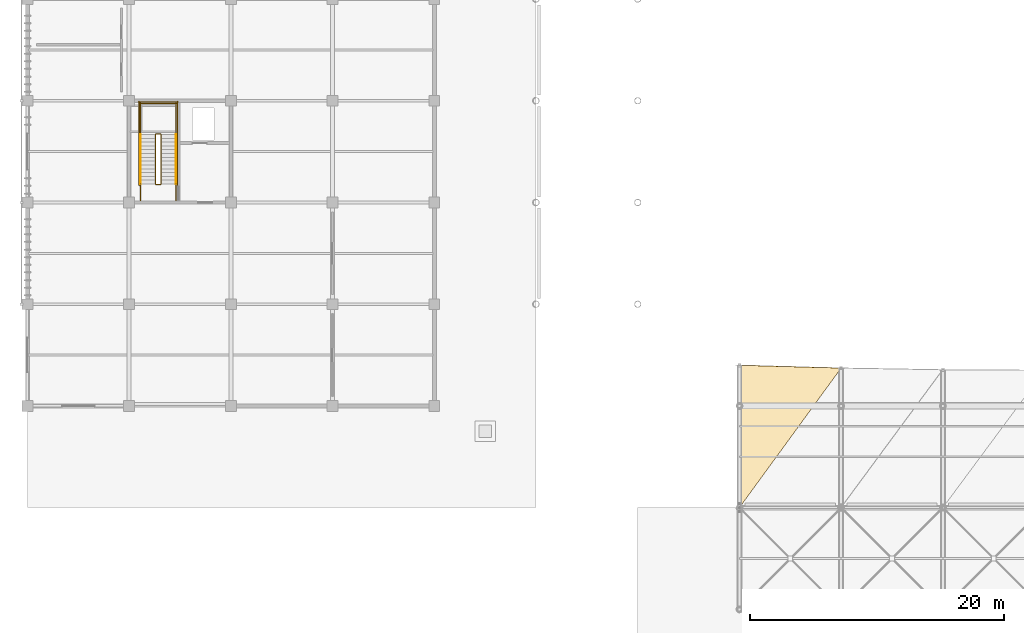
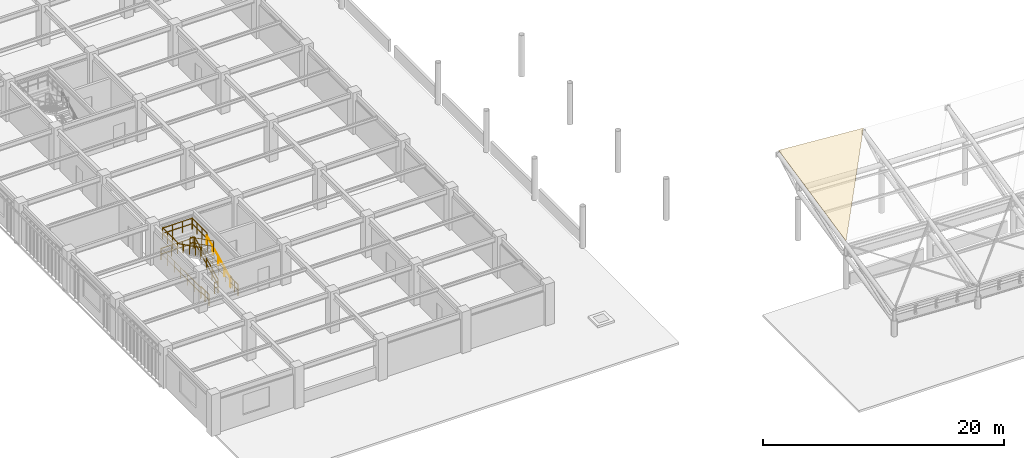
# One storey, part 72 of 78: 14 railings, 1 covering, 1 element without a shape of its own.
"""IFC4 building model written with IfcOpenShell, lengths in metres."""

from ifc_helpers import new_model, si_unit, direction, frame, origin, origin_2d, place, context, subcontext, project, spatial, polyline, circle, outline, extrude, material, layer, layer_set, type_object, element, aggregate, save


model = new_model("IFC4")

# Units and contexts
model_context = context("Model", 3, precision=1e-05, world=origin(), true_north=direction((0.0, 1.0)))
body_context = subcontext(model_context, "Body", "Model", "MODEL_VIEW")
ifc_project = project(units=[si_unit("LENGTHUNIT", "METRE"), si_unit("AREAUNIT", "SQUARE_METRE"), si_unit("VOLUMEUNIT", "CUBIC_METRE"), si_unit("PLANEANGLEUNIT", "RADIAN"), si_unit("MASSUNIT", "GRAM", prefix="KILO")], contexts=[model_context])

# Site, building, storey
site_placement = place(None, origin())
site = spatial("IfcSite", under=ifc_project, at=site_placement, CompositionType="ELEMENT")
building_placement = place(site_placement, origin())
building = spatial("IfcBuilding", under=site, at=building_placement, Name="Haebicheon Civic Stadium", CompositionType="ELEMENT")
storey_placement = place(building_placement, frame((0.0, 0.0, 18.60009765625)))
storey = spatial("IfcBuildingStorey", under=building, at=storey_placement, Name="L05", CompositionType="ELEMENT", Elevation=18.60009765625)

# Roof, covering
ifc_material_1 = material(Name="White painted steel SM490", Category="steel")
roof_type = type_object("IfcRoofType", Name="ROOF-WING-CANOPY", PredefinedType="FREEFORM", material=ifc_material_1)
roof_placement = place(storey_placement, origin())
roof = element("IfcRoof", 1, at=roof_placement, inside=storey, type_object=roof_type, material=ifc_material_1, Name="South Goal-Curve Wing Canopy", PredefinedType="FREEFORM")
ifc_material_2 = material(Name="White fluoropolymer coated steel SM490", Category="steel")
ifc_layer = layer(ifc_material_2, 0.02001953125, Name="White fluoropolymer coated steel SM490")
ifc_layer_set = layer_set([ifc_layer], Name="White fluoropolymer coated steel SM490")
covering_type = type_object("IfcCoveringType", Name="COV-CAN-MEM", PredefinedType="ROOFING", material=ifc_layer_set)
covering_placement = place(storey_placement, frame((80.0, 32.0, 4.679931640625), z_axis=(0.044844821103, -0.209982700605, 0.976676101616), x_axis=(0.0, 0.977659661495, 0.210194163299)))
covering = element("IfcCovering", 2, at=covering_placement, type_object=covering_type, material=ifc_layer_set, Name="CAN-SOUTH canopy coated steel membrane 1", PredefinedType="ROOFING", context=body_context, shape_type="SweptSolid", body=[
    extrude(outline(polyline([(0.0, 0.0), (11.455879395437805, -1.3877787807814457e-17), (11.151674632276901, -8.00805638535099), (0.0, 0.0)])), origin(), (0.0, 0.0, -1.0), 0.02001953125),
])
aggregate(roof, [covering])

# Railings
ifc_material_3 = material(Name="Galvanised painted steel SM355", Category="steel")
railing_type_1 = type_object("IfcRailingType", Name="RL-GRD-1150", PredefinedType="GUARDRAIL", material=ifc_material_3)
railing_1_placement = place(storey_placement, frame((34.510009765625, 57.449951171875, 0.14990234375)))
element("IfcRailing", 3, at=railing_1_placement, inside=storey, type_object=railing_type_1, material=ifc_material_3, Name="L05 ST-02 stair guard 1", PredefinedType="GUARDRAIL", context=body_context, shape_type="SweptSolid", body=[
    extrude(circle(Radius=0.02392578125, at=origin_2d()), frame((0.0, 0.0, 1.1259765625), z_axis=(0.0, 0.894438388696, 0.447191199406), x_axis=(-1.0, 0.0, 0.0)), (0.0, 0.0, 1.0), 4.3603515625),
    extrude(circle(Radius=0.02392578125, at=origin_2d()), frame((0.0, 0.0, 0.574951171875), z_axis=(0.0, 0.894438388696, 0.447191199406), x_axis=(-1.0, 0.0, 0.0)), (0.0, 0.0, 1.0), 4.3603515625),
    extrude(circle(Radius=0.02099609375, at=origin_2d()), origin(), (0.0, 0.0, 1.0), 1.101806640625),
    extrude(circle(Radius=0.02099609375, at=origin_2d()), frame((0.0, 0.97509765625, 0.487548828125)), (0.0, 0.0, 1.0), 1.101806640625),
    extrude(circle(Radius=0.02099609375, at=origin_2d()), frame((0.0, 1.9501953125, 0.97509765625)), (0.0, 0.0, 1.0), 1.101806640625),
    extrude(circle(Radius=0.02099609375, at=origin_2d()), frame((0.0, 2.925048828125, 1.46240234375)), (0.0, 0.0, 1.0), 1.101806640625),
    extrude(circle(Radius=0.02099609375, at=origin_2d()), frame((0.0, 3.900146484375, 1.949951171875)), (0.0, 0.0, 1.0), 1.101806640625),
])
railing_2_placement = place(storey_placement, frame((34.4599609375, 61.39990234375, 2.099853515625)))
element("IfcRailing", 4, at=railing_2_placement, inside=storey, type_object=railing_type_1, material=ifc_material_3, Name="L05 ST-02 stair guard 2", PredefinedType="GUARDRAIL", context=body_context, shape_type="SweptSolid", body=[
    extrude(circle(Radius=0.02392578125, at=origin_2d()), frame((0.0, 0.0, 1.1259765625), z_axis=(-1.0, 0.0, 0.0), x_axis=(0.0, -1.0, 0.0)), (0.0, 0.0, 1.0), 0.33984375),
    extrude(circle(Radius=0.02392578125, at=origin_2d()), frame((0.0, 0.0, 0.574951171875), z_axis=(-1.0, 0.0, 0.0), x_axis=(0.0, -1.0, 0.0)), (0.0, 0.0, 1.0), 0.33984375),
    extrude(circle(Radius=0.02099609375, at=origin_2d()), origin(), (0.0, 0.0, 1.0), 1.101806640625),
    extrude(circle(Radius=0.02099609375, at=origin_2d()), frame((-0.33984375, 0.0, 0.0)), (0.0, 0.0, 1.0), 1.101806640625),
])
for number, where, name in (
    (5, (35.68994140625, 61.35009765625, 2.099853515625), "L05 ST-02 stair guard 3"),
    (6, (32.889892578125, 61.35009765625, 2.099853515625), "L05 ST-02 stair guard 4"),
):
    element("IfcRailing", number, at=place(storey_placement, frame(where)), inside=storey, type_object=railing_type_1, material=ifc_material_3, Name=name, PredefinedType="GUARDRAIL", context=body_context, shape_type="SweptSolid", body=[
        extrude(circle(Radius=0.02392578125, at=origin_2d()), frame((0.0, 0.0, 1.1259765625), z_axis=(0.0, 1.0, 0.0), x_axis=(-1.0, 0.0, 0.0)), (0.0, 0.0, 1.0), 2.489990234375),
        extrude(circle(Radius=0.02392578125, at=origin_2d()), frame((0.0, 0.0, 0.574951171875), z_axis=(0.0, 1.0, 0.0), x_axis=(-1.0, 0.0, 0.0)), (0.0, 0.0, 1.0), 2.489990234375),
        extrude(circle(Radius=0.02099609375, at=origin_2d()), origin(), (0.0, 0.0, 1.0), 1.101806640625),
        extrude(circle(Radius=0.02099609375, at=origin_2d()), frame((0.0, 0.830078125, 0.0)), (0.0, 0.0, 1.0), 1.101806640625),
        extrude(circle(Radius=0.02099609375, at=origin_2d()), frame((0.0, 1.659912109375, 0.0)), (0.0, 0.0, 1.0), 1.101806640625),
        extrude(circle(Radius=0.02099609375, at=origin_2d()), frame((0.0, 2.489990234375, 0.0)), (0.0, 0.0, 1.0), 1.101806640625),
    ])
railing_3_placement = place(storey_placement, frame((35.739990234375, 63.7900390625, 2.099853515625)))
element("IfcRailing", 7, at=railing_3_placement, inside=storey, type_object=railing_type_1, material=ifc_material_3, Name="L05 ST-02 stair guard 5", PredefinedType="GUARDRAIL", context=body_context, shape_type="SweptSolid", body=[
    extrude(circle(Radius=0.02392578125, at=origin_2d()), frame((0.0, 0.0, 1.1259765625), z_axis=(-1.0, 0.0, 0.0), x_axis=(0.0, -1.0, 0.0)), (0.0, 0.0, 1.0), 2.89990234375),
    extrude(circle(Radius=0.02392578125, at=origin_2d()), frame((0.0, 0.0, 0.574951171875), z_axis=(-1.0, 0.0, 0.0), x_axis=(0.0, -1.0, 0.0)), (0.0, 0.0, 1.0), 2.89990234375),
    extrude(circle(Radius=0.02099609375, at=origin_2d()), origin(), (0.0, 0.0, 1.0), 1.101806640625),
    extrude(circle(Radius=0.02099609375, at=origin_2d()), frame((-0.966552734375, 0.0, 0.0)), (0.0, 0.0, 1.0), 1.101806640625),
    extrude(circle(Radius=0.02099609375, at=origin_2d()), frame((-1.933349609375, 0.0, 0.0)), (0.0, 0.0, 1.0), 1.101806640625),
    extrude(circle(Radius=0.02099609375, at=origin_2d()), frame((-2.89990234375, 0.0, 0.0)), (0.0, 0.0, 1.0), 1.101806640625),
])
railing_4_placement = place(storey_placement, frame((34.070068359375, 61.35009765625, 2.25)))
element("IfcRailing", 8, at=railing_4_placement, inside=storey, type_object=railing_type_1, material=ifc_material_3, Name="L05 ST-02 stair guard 6", PredefinedType="GUARDRAIL", context=body_context, shape_type="SweptSolid", body=[
    extrude(circle(Radius=0.02392578125, at=origin_2d()), frame((0.0, 0.0, 1.1259765625), z_axis=(0.0, -0.894438388696, 0.447191199406), x_axis=(1.0, 0.0, 0.0)), (0.0, 0.0, 1.0), 4.3603515625),
    extrude(circle(Radius=0.02392578125, at=origin_2d()), frame((0.0, 0.0, 0.574951171875), z_axis=(0.0, -0.894438388696, 0.447191199406), x_axis=(1.0, 0.0, 0.0)), (0.0, 0.0, 1.0), 4.3603515625),
    extrude(circle(Radius=0.02099609375, at=origin_2d()), origin(), (0.0, 0.0, 1.0), 1.101806640625),
    extrude(circle(Radius=0.02099609375, at=origin_2d()), frame((0.0, -0.97509765625, 0.487548828125)), (0.0, 0.0, 1.0), 1.101806640625),
    extrude(circle(Radius=0.02099609375, at=origin_2d()), frame((0.0, -1.9501953125, 0.97509765625)), (0.0, 0.0, 1.0), 1.101806640625),
    extrude(circle(Radius=0.02099609375, at=origin_2d()), frame((0.0, -2.925048828125, 1.46240234375)), (0.0, 0.0, 1.0), 1.101806640625),
    extrude(circle(Radius=0.02099609375, at=origin_2d()), frame((0.0, -3.900146484375, 1.949951171875)), (0.0, 0.0, 1.0), 1.101806640625),
])
railing_5_placement = place(storey_placement, frame((34.4599609375, 57.39990234375, 0.0)))
element("IfcRailing", 9, at=railing_5_placement, inside=storey, type_object=railing_type_1, material=ifc_material_3, Name="L05 ST-02 stair guard 7", PredefinedType="GUARDRAIL", context=body_context, shape_type="SweptSolid", body=[
    extrude(circle(Radius=0.02392578125, at=origin_2d()), frame((0.0, 0.0, 1.1259765625), z_axis=(-1.0, 0.0, 0.0), x_axis=(0.0, -1.0, 0.0)), (0.0, 0.0, 1.0), 0.33984375),
    extrude(circle(Radius=0.02392578125, at=origin_2d()), frame((0.0, 0.0, 0.574951171875), z_axis=(-1.0, 0.0, 0.0), x_axis=(0.0, -1.0, 0.0)), (0.0, 0.0, 1.0), 0.33984375),
    extrude(circle(Radius=0.02099609375, at=origin_2d()), origin(), (0.0, 0.0, 1.0), 1.101806640625),
    extrude(circle(Radius=0.02099609375, at=origin_2d()), frame((-0.33984375, 0.0, 0.0)), (0.0, 0.0, 1.0), 1.101806640625),
])
for number, where, name in (
    (10, (35.68994140625, 56.159912109375, 0.0), "L05 ST-02 stair guard 8"),
    (11, (32.889892578125, 56.159912109375, 0.0), "L05 ST-02 stair guard 9"),
):
    element("IfcRailing", number, at=place(storey_placement, frame(where)), inside=storey, type_object=railing_type_1, material=ifc_material_3, Name=name, PredefinedType="GUARDRAIL", context=body_context, shape_type="SweptSolid", body=[
        extrude(circle(Radius=0.02392578125, at=origin_2d()), frame((0.0, 0.0, 1.1259765625), z_axis=(0.0, 1.0, 0.0), x_axis=(-1.0, 0.0, 0.0)), (0.0, 0.0, 1.0), 1.2900390625),
        extrude(circle(Radius=0.02392578125, at=origin_2d()), frame((0.0, 0.0, 0.574951171875), z_axis=(0.0, 1.0, 0.0), x_axis=(-1.0, 0.0, 0.0)), (0.0, 0.0, 1.0), 1.2900390625),
        extrude(circle(Radius=0.02099609375, at=origin_2d()), origin(), (0.0, 0.0, 1.0), 1.101806640625),
        extrude(circle(Radius=0.02099609375, at=origin_2d()), frame((0.0, 0.64501953125, 0.0)), (0.0, 0.0, 1.0), 1.101806640625),
        extrude(circle(Radius=0.02099609375, at=origin_2d()), frame((0.0, 1.2900390625, 0.0)), (0.0, 0.0, 1.0), 1.101806640625),
    ])
for number, where, name in (
    (12, (35.7900390625, 57.35009765625, 0.0), "L05 ST-02 stair guard 10"),
    (13, (32.7900390625, 57.35009765625, 0.0), "L05 ST-02 stair guard 11"),
):
    element("IfcRailing", number, at=place(storey_placement, frame(where)), inside=storey, type_object=railing_type_1, material=ifc_material_3, Name=name, PredefinedType="GUARDRAIL", context=body_context, shape_type="SweptSolid", body=[
        extrude(circle(Radius=0.02392578125, at=origin_2d()), frame((0.0, 0.0, 1.1259765625), z_axis=(0.0, 1.0, 0.0), x_axis=(-1.0, 0.0, 0.0)), (0.0, 0.0, 1.0), 6.58984375),
        extrude(circle(Radius=0.02392578125, at=origin_2d()), frame((0.0, 0.0, 0.574951171875), z_axis=(0.0, 1.0, 0.0), x_axis=(-1.0, 0.0, 0.0)), (0.0, 0.0, 1.0), 6.58984375),
        extrude(circle(Radius=0.02099609375, at=origin_2d()), origin(), (0.0, 0.0, 1.0), 1.101806640625),
        extrude(circle(Radius=0.02099609375, at=origin_2d()), frame((0.0, 1.098388671875, 0.0)), (0.0, 0.0, 1.0), 1.101806640625),
        extrude(circle(Radius=0.02099609375, at=origin_2d()), frame((0.0, 2.196533203125, 0.0)), (0.0, 0.0, 1.0), 1.101806640625),
        extrude(circle(Radius=0.02099609375, at=origin_2d()), frame((0.0, 3.294921875, 0.0)), (0.0, 0.0, 1.0), 1.101806640625),
        extrude(circle(Radius=0.02099609375, at=origin_2d()), frame((0.0, 4.393310546875, 0.0)), (0.0, 0.0, 1.0), 1.101806640625),
        extrude(circle(Radius=0.02099609375, at=origin_2d()), frame((0.0, 5.491455078125, 0.0)), (0.0, 0.0, 1.0), 1.101806640625),
        extrude(circle(Radius=0.02099609375, at=origin_2d()), frame((0.0, 6.58984375, 0.0)), (0.0, 0.0, 1.0), 1.101806640625),
    ])
railing_6_placement = place(storey_placement, frame((35.840087890625, 63.889892578125, 0.0)))
element("IfcRailing", 14, at=railing_6_placement, inside=storey, type_object=railing_type_1, material=ifc_material_3, Name="L05 ST-02 stair guard 12", PredefinedType="GUARDRAIL", context=body_context, shape_type="SweptSolid", body=[
    extrude(circle(Radius=0.02392578125, at=origin_2d()), frame((0.0, 0.0, 1.1259765625), z_axis=(-1.0, 0.0, 0.0), x_axis=(0.0, -1.0, 0.0)), (0.0, 0.0, 1.0), 3.10009765625),
    extrude(circle(Radius=0.02392578125, at=origin_2d()), frame((0.0, 0.0, 0.574951171875), z_axis=(-1.0, 0.0, 0.0), x_axis=(0.0, -1.0, 0.0)), (0.0, 0.0, 1.0), 3.10009765625),
    extrude(circle(Radius=0.02099609375, at=origin_2d()), origin(), (0.0, 0.0, 1.0), 1.101806640625),
    extrude(circle(Radius=0.02099609375, at=origin_2d()), frame((-1.033447265625, 0.0, 0.0)), (0.0, 0.0, 1.0), 1.101806640625),
    extrude(circle(Radius=0.02099609375, at=origin_2d()), frame((-2.066650390625, 0.0, 0.0)), (0.0, 0.0, 1.0), 1.101806640625),
    extrude(circle(Radius=0.02099609375, at=origin_2d()), frame((-3.10009765625, 0.0, 0.0)), (0.0, 0.0, 1.0), 1.101806640625),
])
ifc_material_4 = material(Name="Stainless steel 316", Category="steel")
railing_type_2 = type_object("IfcRailingType", Name="RL-HND-900", PredefinedType="HANDRAIL", material=ifc_material_4)
railing_7_placement = place(storey_placement, frame((35.68994140625, 57.449951171875, 0.14990234375)))
element("IfcRailing", 15, at=railing_7_placement, inside=storey, type_object=railing_type_2, material=ifc_material_4, Name="L05 ST-02 stair handrail 1", PredefinedType="HANDRAIL", context=body_context, shape_type="SweptSolid", body=[
    extrude(circle(Radius=0.02392578125, at=origin_2d()), frame((0.0, 0.0, 0.8759765625), z_axis=(0.0, 0.894438388696, 0.447191199406), x_axis=(-1.0, 0.0, 0.0)), (0.0, 0.0, 1.0), 4.3603515625),
    extrude(circle(Radius=0.02099609375, at=origin_2d()), origin(), (0.0, 0.0, 1.0), 0.851806640625),
    extrude(circle(Radius=0.02099609375, at=origin_2d()), frame((0.0, 0.97509765625, 0.487548828125)), (0.0, 0.0, 1.0), 0.851806640625),
    extrude(circle(Radius=0.02099609375, at=origin_2d()), frame((0.0, 1.9501953125, 0.97509765625)), (0.0, 0.0, 1.0), 0.851806640625),
    extrude(circle(Radius=0.02099609375, at=origin_2d()), frame((0.0, 2.925048828125, 1.46240234375)), (0.0, 0.0, 1.0), 0.851806640625),
    extrude(circle(Radius=0.02099609375, at=origin_2d()), frame((0.0, 3.900146484375, 1.949951171875)), (0.0, 0.0, 1.0), 0.851806640625),
])
railing_8_placement = place(storey_placement, frame((32.889892578125, 61.35009765625, 2.25)))
element("IfcRailing", 16, at=railing_8_placement, inside=storey, type_object=railing_type_2, material=ifc_material_4, Name="L05 ST-02 stair handrail 2", PredefinedType="HANDRAIL", context=body_context, shape_type="SweptSolid", body=[
    extrude(circle(Radius=0.02392578125, at=origin_2d()), frame((0.0, 0.0, 0.8759765625), z_axis=(0.0, -0.894438388696, 0.447191199406), x_axis=(1.0, 0.0, 0.0)), (0.0, 0.0, 1.0), 4.3603515625),
    extrude(circle(Radius=0.02099609375, at=origin_2d()), origin(), (0.0, 0.0, 1.0), 0.851806640625),
    extrude(circle(Radius=0.02099609375, at=origin_2d()), frame((0.0, -0.97509765625, 0.487548828125)), (0.0, 0.0, 1.0), 0.851806640625),
    extrude(circle(Radius=0.02099609375, at=origin_2d()), frame((0.0, -1.9501953125, 0.97509765625)), (0.0, 0.0, 1.0), 0.851806640625),
    extrude(circle(Radius=0.02099609375, at=origin_2d()), frame((0.0, -2.925048828125, 1.46240234375)), (0.0, 0.0, 1.0), 0.851806640625),
    extrude(circle(Radius=0.02099609375, at=origin_2d()), frame((0.0, -3.900146484375, 1.949951171875)), (0.0, 0.0, 1.0), 0.851806640625),
])

save(model, "model.ifc")
